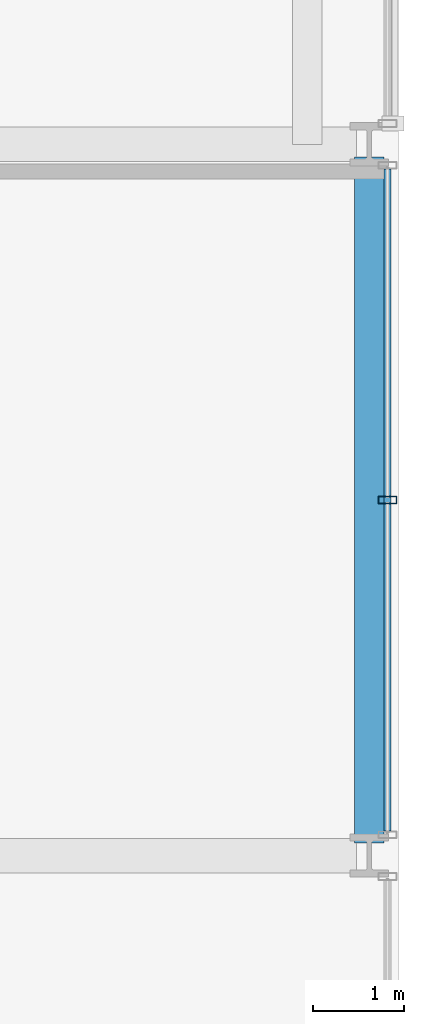
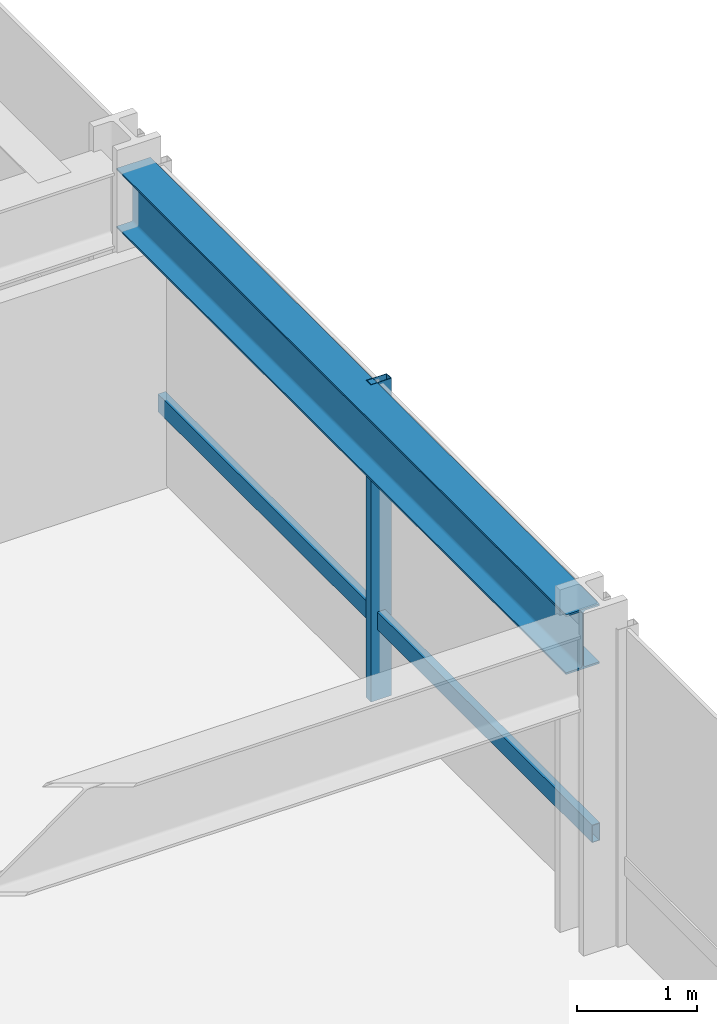
# One storey, part 14 of 38: 2 members, 1 beam, 1 element without a shape of its own.
"""IFC4 building model written with IfcOpenShell, lengths in metres."""

from ifc_helpers import new_model, si_unit, direction, frame, origin, origin_2d, place, context, subcontext, project, spatial, hollow_rectangle, i_section, extrude, material, layer, layer_set, material_profile, profile_set, type_object, element, aggregate, save


model = new_model("IFC4")

# Units and contexts
model_context = context("Model", 3, precision=1e-05, world=origin(), true_north=direction((0.0, 1.0)))
body_context = subcontext(model_context, "Body", "Model", "MODEL_VIEW")
ifc_project = project(units=[si_unit("LENGTHUNIT", "METRE"), si_unit("AREAUNIT", "SQUARE_METRE"), si_unit("VOLUMEUNIT", "CUBIC_METRE"), si_unit("PLANEANGLEUNIT", "RADIAN"), si_unit("MASSUNIT", "GRAM", prefix="KILO")], contexts=[model_context])

# Site, building, storey
site_placement = place(None, origin())
site = spatial("IfcSite", under=ifc_project, at=site_placement, CompositionType="ELEMENT")
building_placement = place(site_placement, origin())
building = spatial("IfcBuilding", under=site, at=building_placement, Name="Drelvath Grand Hotel", CompositionType="ELEMENT")
storey_placement = place(building_placement, frame((0.0, 0.0, 61.199951171875)))
storey = spatial("IfcBuildingStorey", under=building, at=storey_placement, Name="L14", CompositionType="ELEMENT", Elevation=61.199951171875)

# Curtain wall, members
ifc_material_1 = material(Name="Warm Bronze Anodised Aluminium Frame", Category="aluminium")
ifc_layer = layer(ifc_material_1, 0.199951171875)
ifc_layer_set = layer_set([ifc_layer], Name="Warm Bronze Anodised Aluminium Frame")
curtain_wall_type = type_object("IfcCurtainWallType", Name="Stick Curtain Wall CW-02 Warm Bronze Low-Rise", PredefinedType="NOTDEFINED", material=ifc_layer_set)
curtain_wall_placement = place(storey_placement, origin())
curtain_wall = element("IfcCurtainWall", 1, at=curtain_wall_placement, inside=storey, type_object=curtain_wall_type, Name="L14 CW-02 Curtain Wall CW02-L14-ES2", PredefinedType="NOTDEFINED")
ifc_material_profile_1 = material_profile(ifc_material_1, hollow_rectangle(XDim=0.074951171875, YDim=0.179931640625, WallThickness=0.0048828125, at=origin_2d()), Name="HSS180X75X5")
ifc_profile_set_1 = profile_set([ifc_material_profile_1], Name="Warm Bronze Anodised Aluminium Frame")
member_type_1 = type_object("IfcMemberType", Name="Curtain Wall Horizontal Transom CW-02 HSS180X75X5", PredefinedType="USERDEFINED", material=ifc_profile_set_1)
member_1_placement = place(storey_placement, frame((26.8798828125, 18.330810546875, 0.81005859375), z_axis=(0.0, -1.0, 0.0), x_axis=(1.0, 0.0, 0.0)))
member_1 = element("IfcMember", 2, at=member_1_placement, type_object=member_type_1, Name="CW02-L14-ES2 Sill Transom", ObjectType="TRANSOM", PredefinedType="USERDEFINED", context=body_context, shape_type="SweptSolid", body=[
    extrude(hollow_rectangle(XDim=0.074951171875, YDim=0.179931640625, WallThickness=0.0048828125, at=origin_2d()), origin(), (0.0, 0.0, 1.0), 7.26171875),
])
ifc_material_profile_2 = material_profile(ifc_material_1, hollow_rectangle(XDim=0.080078125, YDim=0.199951171875, WallThickness=0.0048828125, at=origin_2d()), Name="HSS200X80X5")
ifc_profile_set_2 = profile_set([ifc_material_profile_2], Name="Warm Bronze Anodised Aluminium Frame")
member_type_2 = type_object("IfcMemberType", Name="Curtain Wall Vertical Mullion CW-02 HSS200X80X5", PredefinedType="MULLION", material=ifc_profile_set_2)
member_2_placement = place(storey_placement, frame((26.8798828125, 14.699951171875, 0.0), z_axis=(0.0, 0.0, 1.0), x_axis=(0.0, 1.0, 0.0)))
member_2 = element("IfcMember", 3, at=member_2_placement, type_object=member_type_2, Name="CW02-L14-ES2 Mullion 2", PredefinedType="MULLION", context=body_context, shape_type="SweptSolid", body=[
    extrude(hollow_rectangle(XDim=0.080078125, YDim=0.199951171875, WallThickness=0.0048828125, at=origin_2d()), origin(), (0.0, 0.0, 1.0), 3.239990234375),
])
aggregate(curtain_wall, [member_2, member_1])

# Beam
ifc_material_2 = material(Name="Steel ASTM A992 Gr 50", Category="steel")
ifc_material_profile_3 = material_profile(ifc_material_2, i_section(OverallWidth=0.323974609375, OverallDepth=0.611083984375, WebThickness=0.0126953125, FlangeThickness=0.01904296875, FilletRadius=0.02197265625, at=origin_2d()), Name="W24X104")
ifc_profile_set_3 = profile_set([ifc_material_profile_3], Name="Steel ASTM A992 Gr 50")
beam_type = type_object("IfcBeamType", Name="Perimeter Spandrel Beam W24X104", PredefinedType="SPANDREL", material=ifc_profile_set_3)
beam_placement = place(storey_placement, frame((26.679931640625, 10.93994140625, 2.9345703125), z_axis=(0.0, 1.0, 0.0), x_axis=(-1.0, 0.0, 0.0)))
element("IfcBeam", 4, at=beam_placement, inside=storey, type_object=beam_type, Name="L14 Spandrel East S", PredefinedType="SPANDREL", context=body_context, shape_type="SweptSolid", body=[
    extrude(i_section(OverallWidth=0.323974609375, OverallDepth=0.611083984375, WebThickness=0.0126953125, FlangeThickness=0.01904296875, FilletRadius=0.02197265625, at=origin_2d()), origin(), (0.0, 0.0, 1.0), 7.52001953125),
])

save(model, "model.ifc")
